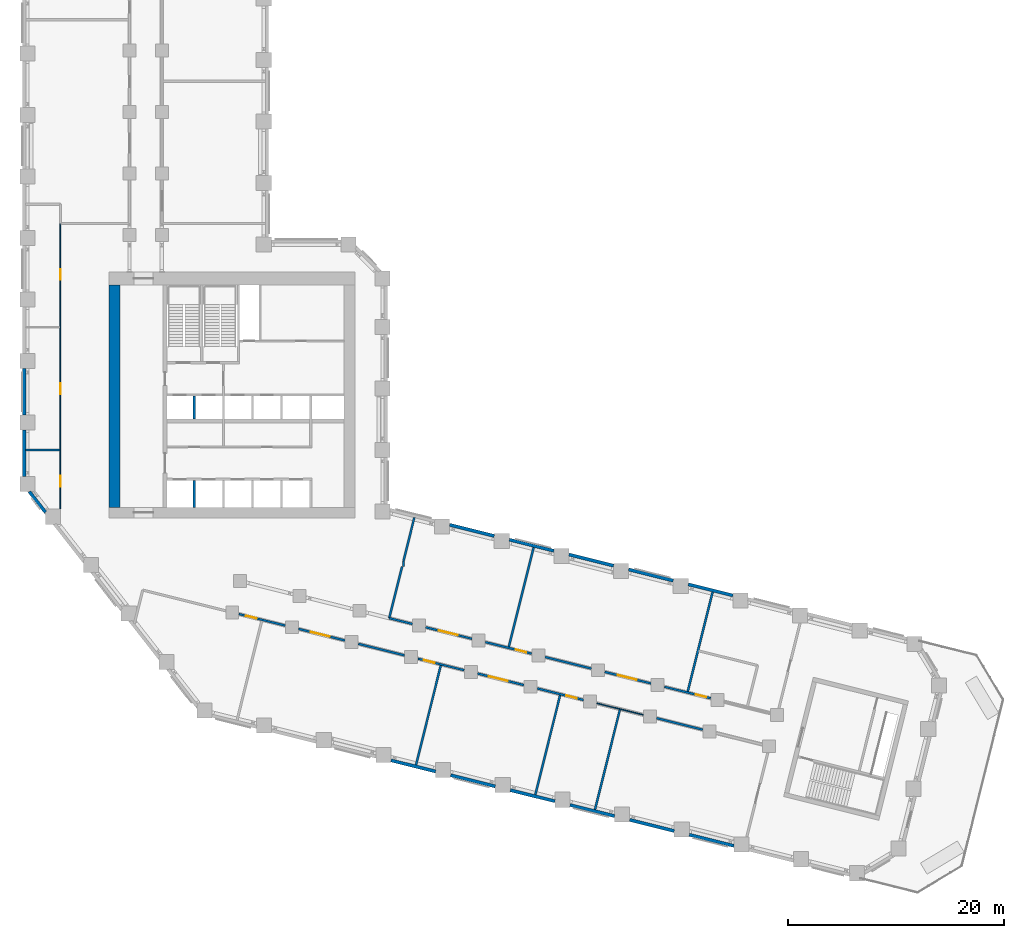
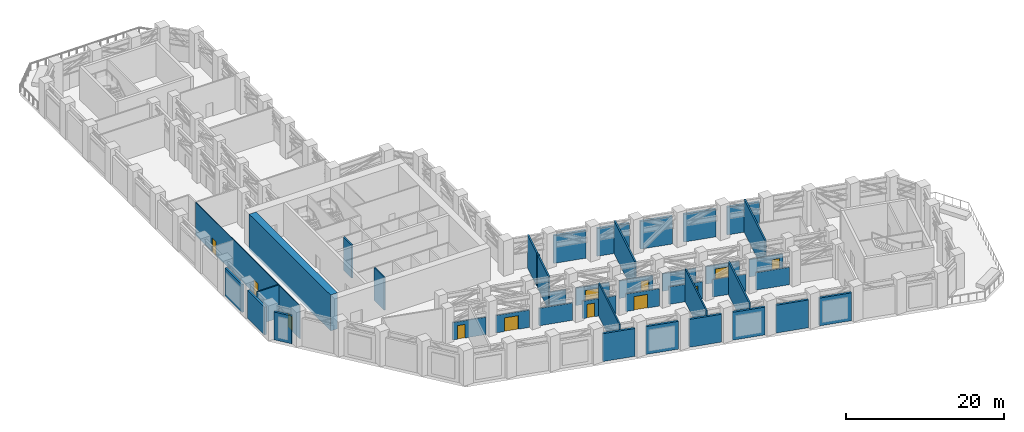
# One storey, part 7 of 14: 41 walls, 12 doors, 12 openings.
"""IFC4 building model written with IfcOpenShell, lengths in metres."""

from ifc_helpers import new_model, si_unit, direction, frame, frame_2d, origin, place, context, subcontext, project, spatial, rectangle, extrude, material, layer, layer_set, type_object, element, fill, save


model = new_model("IFC4")

# Units and contexts
model_context = context("Model", 3, precision=1e-05, world=origin(), true_north=direction((0.0, 1.0)))
body_context = subcontext(model_context, "Body", "Model", "MODEL_VIEW")
ifc_project = project(units=[si_unit("LENGTHUNIT", "METRE"), si_unit("AREAUNIT", "SQUARE_METRE"), si_unit("VOLUMEUNIT", "CUBIC_METRE"), si_unit("PLANEANGLEUNIT", "RADIAN"), si_unit("MASSUNIT", "GRAM", prefix="KILO")], contexts=[model_context])

# Site, building, storey
site_placement = place(None, origin())
site = spatial("IfcSite", under=ifc_project, at=site_placement, CompositionType="ELEMENT")
building_placement = place(site_placement, origin())
building = spatial("IfcBuilding", under=site, at=building_placement, Name="Meshkara Civic Tower", CompositionType="ELEMENT")
storey_placement = place(building_placement, frame((0.0, 0.0, 91.800048828125)))
storey = spatial("IfcBuildingStorey", under=building, at=storey_placement, Name="L20", CompositionType="ELEMENT", Elevation=91.800048828125)

# Wall
ifc_material_1 = material(Name="Concrete C80", Category="concrete")
ifc_layer_1 = layer(ifc_material_1, 1.0)
ifc_layer_set_1 = layer_set([ifc_layer_1], Name="Core ring wall 1000 C80")
wall_type_1 = type_object("IfcWallType", Name="Core ring wall 1000 C80", PredefinedType="SHEAR", material=ifc_layer_set_1)
wall_1_placement = place(storey_placement, frame((8.5, 15.10009765625, -0.449951171875), z_axis=(0.0, 0.0, 1.0), x_axis=(0.0, 1.0, 0.0)))
element("IfcWall", 1, at=wall_1_placement, inside=storey, type_object=wall_type_1, Name="L20-C003", PredefinedType="SHEAR", context=body_context, shape_type="SweptSolid", body=[
    extrude(rectangle(XDim=20.599853515625, YDim=1.0, at=frame_2d((10.2998046875, 0.0))), origin(), (0.0, 0.0, 1.0), 5.5498046875),
])

# Wall, openings, doors
ifc_material_2 = material(Name="Corridor wall 100")
ifc_layer_2 = layer(ifc_material_2, 0.10009765625)
ifc_layer_set_2 = layer_set([ifc_layer_2], Name="Corridor wall 100")
wall_type_2 = type_object("IfcWallType", Name="Corridor wall 100", PredefinedType="PARTITIONING", material=ifc_layer_set_2)
wall_2_placement = place(storey_placement, frame((3.5, 14.948974609375, 0.0), z_axis=(0.0, 0.0, 1.0), x_axis=(0.0, 1.0, 0.0)))
wall_2 = element("IfcWall", 2, at=wall_2_placement, inside=storey, type_object=wall_type_2, Name="L20-R002", PredefinedType="PARTITIONING", context=body_context, shape_type="SweptSolid", body=[
    extrude(rectangle(XDim=26.450927734375, YDim=0.10009765625, at=frame_2d((13.2255859375, 0.0))), origin(), (0.0, 0.0, 1.0), 5.099853515625),
])
opening_1_placement = place(wall_2_placement, frame((2.080078125, 0.0, 0.0)))
opening_1 = element("IfcOpeningElement", 3, at=opening_1_placement, cuts=wall_2, Name="Opening L20-P012", PredefinedType="OPENING", context=body_context, shape_type="SweptSolid", body=[
    extrude(rectangle(XDim=1.0, YDim=2.10009765625, at=frame_2d((0.5, 1.050048828125))), frame((0.0, 0.06005859375, 0.0), z_axis=(0.0, -1.0, 0.0), x_axis=(1.0, 0.0, 0.0)), (0.0, 0.0, 1.0), 0.1201171875),
])
opening_2_placement = place(wall_2_placement, frame((10.631103515625, 0.0, 0.0)))
opening_2 = element("IfcOpeningElement", 4, at=opening_2_placement, cuts=wall_2, Name="Opening L20-P013", PredefinedType="OPENING", context=body_context, shape_type="SweptSolid", body=[
    extrude(rectangle(XDim=1.0, YDim=2.10009765625, at=frame_2d((0.5, 1.050048828125))), frame((0.0, 0.06005859375, 0.0), z_axis=(0.0, -1.0, 0.0), x_axis=(1.0, 0.0, 0.0)), (0.0, 0.0, 1.0), 0.1201171875),
])
opening_3_placement = place(wall_2_placement, frame((21.23095703125, 0.0, 0.0)))
opening_3 = element("IfcOpeningElement", 5, at=opening_3_placement, cuts=wall_2, Name="Opening L20-P014", PredefinedType="OPENING", context=body_context, shape_type="SweptSolid", body=[
    extrude(rectangle(XDim=1.0, YDim=2.10009765625, at=frame_2d((0.5, 1.050048828125))), frame((0.0, 0.06005859375, 0.0), z_axis=(0.0, -1.0, 0.0), x_axis=(1.0, 0.0, 0.0)), (0.0, 0.0, 1.0), 0.1201171875),
])
ifc_material_3 = material(Name="Door 1000 x 2100")
door_type_1 = type_object("IfcDoorType", Name="Door 1000 x 2100", OperationType="SINGLE_SWING_LEFT", PredefinedType="DOOR", material=ifc_material_3)
door_1_placement = place(opening_1_placement, origin())
door_1 = element("IfcDoor", 6, at=door_1_placement, inside=storey, type_object=door_type_1, Name="L20-P012", OperationType="SINGLE_SWING_LEFT", OverallHeight=2.10009765625, OverallWidth=1.0, PredefinedType="DOOR", context=body_context, shape_type="SweptSolid", body=[
    extrude(rectangle(XDim=1.0, YDim=2.10009765625, at=frame_2d((0.5, 1.050048828125))), frame((0.0, 0.02490234375, 0.0), z_axis=(0.0, -1.0, 0.0), x_axis=(1.0, 0.0, 0.0)), (0.0, 0.0, 1.0), 0.050048828125),
])
fill(opening_1, door_1)
door_2_placement = place(opening_2_placement, origin())
door_2 = element("IfcDoor", 7, at=door_2_placement, inside=storey, type_object=door_type_1, Name="L20-P013", OperationType="SINGLE_SWING_LEFT", OverallHeight=2.10009765625, OverallWidth=1.0, PredefinedType="DOOR", context=body_context, shape_type="SweptSolid", body=[
    extrude(rectangle(XDim=1.0, YDim=2.10009765625, at=frame_2d((0.5, 1.050048828125))), frame((0.0, 0.02490234375, 0.0), z_axis=(0.0, -1.0, 0.0), x_axis=(1.0, 0.0, 0.0)), (0.0, 0.0, 1.0), 0.050048828125),
])
fill(opening_2, door_2)
door_3_placement = place(opening_3_placement, origin())
door_3 = element("IfcDoor", 8, at=door_3_placement, inside=storey, type_object=door_type_1, Name="L20-P014", OperationType="SINGLE_SWING_LEFT", OverallHeight=2.10009765625, OverallWidth=1.0, PredefinedType="DOOR", context=body_context, shape_type="SweptSolid", body=[
    extrude(rectangle(XDim=1.0, YDim=2.10009765625, at=frame_2d((0.5, 1.050048828125))), frame((0.0, 0.02490234375, 0.0), z_axis=(0.0, -1.0, 0.0), x_axis=(1.0, 0.0, 0.0)), (0.0, 0.0, 1.0), 0.050048828125),
])
fill(opening_3, door_3)

# Walls
wall_3_placement = place(storey_placement, frame((53.22802734375, -3.068115234375, 0.0), z_axis=(0.0, 0.0, 1.0), x_axis=(0.970298175152, -0.241912073482, 0.0)))
element("IfcWall", 9, at=wall_3_placement, inside=storey, type_object=wall_type_2, Name="L20-R029", PredefinedType="PARTITIONING", context=body_context, shape_type="SweptSolid", body=[
    extrude(rectangle(XDim=4.42236328125, YDim=0.10009765625, at=frame_2d((2.211181640625, 0.0))), origin(), (0.0, 0.0, 1.0), 2.683837890625),
])
ifc_material_4 = material(Name="Insulated infill panel with bronze anodised aluminium cladding", Category="aluminium")
ifc_layer_3 = layer(ifc_material_4, 0.300048828125)
ifc_layer_set_3 = layer_set([ifc_layer_3], Name="EXTERNAL INFILL WALL 300")
wall_type_3 = type_object("IfcWallType", Name="EXTERNAL INFILL WALL 300", PredefinedType="SOLIDWALL", material=ifc_layer_set_3)
wall_4_placement = place(storey_placement, frame((65.833984375, 6.928955078125, 0.0), z_axis=(0.0, 0.0, 1.0), x_axis=(-0.970294099383, 0.241928420619, 0.0)))
element("IfcWall", 10, at=wall_4_placement, inside=storey, type_object=wall_type_3, Name="External wall", PredefinedType="SOLIDWALL", context=body_context, shape_type="SweptSolid", body=[
    extrude(rectangle(XDim=4.257568359375, YDim=0.300048828125, at=frame_2d((2.12890625, 0.0))), origin(), (0.0, 0.0, 1.0), 4.300048828125),
])
wall_5_placement = place(storey_placement, frame((60.302978515625, 8.30810546875, 0.0), z_axis=(0.0, 0.0, 1.0), x_axis=(-0.970290777893, 0.241941741615, 0.0)))
element("IfcWall", 11, at=wall_5_placement, inside=storey, type_object=wall_type_3, Name="External wall", PredefinedType="SOLIDWALL", context=body_context, shape_type="SweptSolid", body=[
    extrude(rectangle(XDim=4.25634765625, YDim=0.300048828125, at=frame_2d((2.128173828125, 0.0))), origin(), (0.0, 0.0, 1.0), 4.300048828125),
])
for number, where, z_axis, x_axis, name in (
    (12, (54.77294921875, 9.68701171875, 0.0), (0.0, 0.0, 1.0), (-0.970290742877, 0.241941882045, 0.0), "External wall"),
    (13, (49.241943359375, 11.06591796875, 0.0), (0.0, 0.0, 1.0), (-0.970290742877, 0.241941882045, 0.0), "External wall"),
):
    element("IfcWall", number, at=place(storey_placement, frame(where, z_axis=z_axis, x_axis=x_axis)), inside=storey, type_object=wall_type_3, Name=name, PredefinedType="SOLIDWALL", context=body_context, shape_type="SweptSolid", body=[
        extrude(rectangle(XDim=4.25732421875, YDim=0.300048828125, at=frame_2d((2.128662109375, 0.0))), origin(), (0.0, 0.0, 1.0), 4.300048828125),
    ])
wall_6_placement = place(storey_placement, frame((43.7109375, 12.445068359375, 0.0), z_axis=(0.0, 0.0, 1.0), x_axis=(-0.970277311249, 0.241995742265, 0.0)))
element("IfcWall", 14, at=wall_6_placement, inside=storey, type_object=wall_type_3, Name="External wall", PredefinedType="SOLIDWALL", context=body_context, shape_type="SweptSolid", body=[
    extrude(rectangle(XDim=4.25634765625, YDim=0.300048828125, at=frame_2d((2.128173828125, 0.0))), origin(), (0.0, 0.0, 1.0), 4.300048828125),
])
wall_7_placement = place(storey_placement, frame((0.14990234375, 27.9541015625, 0.0), z_axis=(0.0, 0.0, 1.0), x_axis=(0.0, -1.0, 0.0)))
element("IfcWall", 15, at=wall_7_placement, inside=storey, type_object=wall_type_3, Name="External wall", PredefinedType="SOLIDWALL", context=body_context, shape_type="SweptSolid", body=[
    extrude(rectangle(XDim=4.298095703125, YDim=0.300048828125, at=frame_2d((2.14892578125, 0.0))), origin(), (0.0, 0.0, 1.0), 4.300048828125),
])
wall_8_placement = place(storey_placement, frame((0.14990234375, 22.25390625, 0.0), z_axis=(0.0, 0.0, 1.0), x_axis=(0.0, -1.0, 0.0)))
element("IfcWall", 16, at=wall_8_placement, inside=storey, type_object=wall_type_3, Name="External wall", PredefinedType="SOLIDWALL", context=body_context, shape_type="SweptSolid", body=[
    extrude(rectangle(XDim=4.2978515625, YDim=0.300048828125, at=frame_2d((2.14892578125, 0.0))), origin(), (0.0, 0.0, 1.0), 4.300048828125),
])
wall_9_placement = place(storey_placement, frame((0.615966796875, 16.554931640625, 0.0), z_axis=(0.0, 0.0, 1.0), x_axis=(0.615745299337, -0.787945255931, 0.0)))
element("IfcWall", 17, at=wall_9_placement, inside=storey, type_object=wall_type_3, Name="External wall", PredefinedType="SOLIDWALL", context=body_context, shape_type="SweptSolid", body=[
    extrude(rectangle(XDim=2.432861328125, YDim=0.300048828125, at=frame_2d((1.21630859375, 0.0))), origin(), (0.0, 0.0, 1.0), 4.300048828125),
])
for number, where, z_axis, x_axis, name in (
    (18, (34.14306640625, -8.35791015625, 0.0), (0.0, 0.0, 1.0), (0.970290742877, -0.241941882045, 0.0), "External wall"),
    (19, (39.674072265625, -9.737060546875, 0.0), (0.0, 0.0, 1.0), (0.970290742877, -0.241941882045, 0.0), "External wall"),
):
    element("IfcWall", number, at=place(storey_placement, frame(where, z_axis=z_axis, x_axis=x_axis)), inside=storey, type_object=wall_type_3, Name=name, PredefinedType="SOLIDWALL", context=body_context, shape_type="SweptSolid", body=[
        extrude(rectangle(XDim=4.25732421875, YDim=0.300048828125, at=frame_2d((2.128662109375, 0.0))), origin(), (0.0, 0.0, 1.0), 4.300048828125),
    ])
wall_10_placement = place(storey_placement, frame((45.205078125, -11.115966796875, 0.0), z_axis=(0.0, 0.0, 1.0), x_axis=(0.970277311249, -0.241995742265, 0.0)))
element("IfcWall", 20, at=wall_10_placement, inside=storey, type_object=wall_type_3, Name="External wall", PredefinedType="SOLIDWALL", context=body_context, shape_type="SweptSolid", body=[
    extrude(rectangle(XDim=4.25634765625, YDim=0.300048828125, at=frame_2d((2.128173828125, 0.0))), origin(), (0.0, 0.0, 1.0), 4.300048828125),
])
for number, where, z_axis, x_axis, name in (
    (21, (50.735107421875, -12.4951171875, 0.0), (0.0, 0.0, 1.0), (0.970304203713, -0.241887891919, 0.0), "External wall"),
    (22, (56.26611328125, -13.8740234375, 0.0), (0.0, 0.0, 1.0), (0.970290742877, -0.241941882045, 0.0), "External wall"),
):
    element("IfcWall", number, at=place(storey_placement, frame(where, z_axis=z_axis, x_axis=x_axis)), inside=storey, type_object=wall_type_3, Name=name, PredefinedType="SOLIDWALL", context=body_context, shape_type="SweptSolid", body=[
        extrude(rectangle(XDim=4.25732421875, YDim=0.300048828125, at=frame_2d((2.128662109375, 0.0))), origin(), (0.0, 0.0, 1.0), 4.300048828125),
    ])
wall_11_placement = place(storey_placement, frame((61.797119140625, -15.2529296875, 0.0), z_axis=(0.0, 0.0, 1.0), x_axis=(0.970331162032, -0.241779726174, 0.0)))
element("IfcWall", 23, at=wall_11_placement, inside=storey, type_object=wall_type_3, Name="External wall", PredefinedType="SOLIDWALL", context=body_context, shape_type="SweptSolid", body=[
    extrude(rectangle(XDim=4.256103515625, YDim=0.300048828125, at=frame_2d((2.1279296875, 0.0))), origin(), (0.0, 0.0, 1.0), 4.300048828125),
])

# Wall, opening, door
ifc_material_5 = material(Name="Fire-rated wall 200")
ifc_layer_4 = layer(ifc_material_5, 0.199951171875)
ifc_layer_set_4 = layer_set([ifc_layer_4], Name="Fire-rated wall 200")
wall_type_4 = type_object("IfcWallType", Name="Fire-rated wall 200", PredefinedType="PARTITIONING", material=ifc_layer_set_4)
wall_12_placement = place(storey_placement, frame((20.0439453125, 5.2060546875, 0.0), z_axis=(0.0, 0.0, 1.0), x_axis=(0.970272283191, -0.242015901276, 0.0)))
wall_12 = element("IfcWall", 24, at=wall_12_placement, inside=storey, type_object=wall_type_4, Name="L20-R015", PredefinedType="PARTITIONING", context=body_context, shape_type="SweptSolid", body=[
    extrude(rectangle(XDim=4.42138671875, YDim=0.199951171875, at=frame_2d((2.210693359375, 0.0))), origin(), (0.0, 0.0, 1.0), 2.683837890625),
])
opening_4_placement = place(wall_12_placement, frame((0.679931640625, 0.0, 0.0)))
opening_4 = element("IfcOpeningElement", 25, at=opening_4_placement, cuts=wall_12, Name="Opening L20-P006", PredefinedType="OPENING", context=body_context, shape_type="SweptSolid", body=[
    extrude(rectangle(XDim=1.0, YDim=2.10009765625, at=frame_2d((0.5, 1.050048828125))), frame((0.0, 0.10986328125, 0.0), z_axis=(0.0, -1.0, 0.0), x_axis=(1.0, 0.0, 0.0)), (0.0, 0.0, 1.0), 0.219970703125),
])
door_4_placement = place(opening_4_placement, origin())
door_4 = element("IfcDoor", 26, at=door_4_placement, inside=storey, type_object=door_type_1, Name="L20-P006", OperationType="SINGLE_SWING_RIGHT", OverallHeight=2.10009765625, OverallWidth=1.0, PredefinedType="DOOR", context=body_context, shape_type="SweptSolid", body=[
    extrude(rectangle(XDim=1.0, YDim=2.10009765625, at=frame_2d((0.5, 1.050048828125))), frame((0.0, 0.02490234375, 0.0), z_axis=(0.0, -1.0, 0.0), x_axis=(1.0, 0.0, 0.0)), (0.0, 0.0, 1.0), 0.050048828125),
])
fill(opening_4, door_4)

wall_13_placement = place(storey_placement, frame((25.573974609375, 3.826904296875, 0.0), z_axis=(0.0, 0.0, 1.0), x_axis=(0.970298175152, -0.241912073482, 0.0)))
wall_13 = element("IfcWall", 27, at=wall_13_placement, inside=storey, type_object=wall_type_4, Name="L20-R017", PredefinedType="PARTITIONING", context=body_context, shape_type="SweptSolid", body=[
    extrude(rectangle(XDim=4.42236328125, YDim=0.199951171875, at=frame_2d((2.211181640625, 0.0))), origin(), (0.0, 0.0, 1.0), 2.683837890625),
])
opening_5_placement = place(wall_13_placement, frame((1.179931640625, 0.0, 0.0)))
opening_5 = element("IfcOpeningElement", 28, at=opening_5_placement, cuts=wall_13, Name="Opening L20-P007", PredefinedType="OPENING", context=body_context, shape_type="SweptSolid", body=[
    extrude(rectangle(XDim=1.800048828125, YDim=2.10009765625, at=frame_2d((0.89990234375, 1.050048828125))), frame((0.0, 0.10986328125, 0.0), z_axis=(0.0, -1.0, 0.0), x_axis=(1.0, 0.0, 0.0)), (0.0, 0.0, 1.0), 0.219970703125),
])
ifc_material_6 = material(Name="Door pair 1800 x 2100")
door_type_2 = type_object("IfcDoorType", Name="Door pair 1800 x 2100", OperationType="SINGLE_SWING_LEFT", PredefinedType="DOOR", material=ifc_material_6)
door_5_placement = place(opening_5_placement, origin())
door_5 = element("IfcDoor", 29, at=door_5_placement, inside=storey, type_object=door_type_2, Name="L20-P007", OperationType="DOUBLE_DOOR_SINGLE_SWING", OverallHeight=2.10009765625, OverallWidth=1.800048828125, PredefinedType="DOOR", context=body_context, shape_type="SweptSolid", body=[
    extrude(rectangle(XDim=1.800048828125, YDim=2.10009765625, at=frame_2d((0.89990234375, 1.050048828125))), frame((0.0, 0.02490234375, 0.0), z_axis=(0.0, -1.0, 0.0), x_axis=(1.0, 0.0, 0.0)), (0.0, 0.0, 1.0), 0.050048828125),
])
fill(opening_5, door_5)

# Walls
wall_14_placement = place(storey_placement, frame((31.10498046875, 2.447998046875, 0.0), z_axis=(0.0, 0.0, 1.0), x_axis=(0.970285215636, -0.241964047572, 0.0)))
element("IfcWall", 30, at=wall_14_placement, inside=storey, type_object=wall_type_4, Name="L20-R018", PredefinedType="PARTITIONING", context=body_context, shape_type="SweptSolid", body=[
    extrude(rectangle(XDim=4.42236328125, YDim=0.199951171875, at=frame_2d((2.211181640625, 0.0))), origin(), (0.0, 0.0, 1.0), 2.683837890625),
])
wall_15_placement = place(storey_placement, frame((33.97607421875, 4.823974609375, 0.0), z_axis=(0.0, 0.0, 1.0), x_axis=(0.241940400058, 0.970291112409, 0.0)))
element("IfcWall", 31, at=wall_15_placement, inside=storey, type_object=wall_type_4, Name="L20-R019", PredefinedType="PARTITIONING", context=body_context, shape_type="SweptSolid", body=[
    extrude(rectangle(XDim=4.92236328125, YDim=0.199951171875, at=frame_2d((2.461181640625, 0.0))), origin(), (0.0, 0.0, 1.0), 5.099853515625),
])
wall_16_placement = place(storey_placement, frame((35.300048828125, 9.60009765625, 0.0), z_axis=(0.0, 0.0, 1.0), x_axis=(0.0, 1.0, 0.0)))
element("IfcWall", 32, at=wall_16_placement, inside=storey, type_object=wall_type_4, Name="L20-R020", PredefinedType="PARTITIONING", context=body_context, shape_type="SweptSolid", body=[
    extrude(rectangle(XDim=0.533935546875, YDim=0.199951171875, at=frame_2d((0.26708984375, 0.0))), origin(), (0.0, 0.0, 1.0), 5.099853515625),
])
wall_17_placement = place(storey_placement, frame((35.300048828125, 10.134033203125, 0.0), z_axis=(0.0, 0.0, 1.0), x_axis=(0.242037004533, 0.970267019143, 0.0)))
element("IfcWall", 33, at=wall_17_placement, inside=storey, type_object=wall_type_4, Name="L20-R021", PredefinedType="PARTITIONING", context=body_context, shape_type="SweptSolid", body=[
    extrude(rectangle(XDim=4.147705078125, YDim=0.199951171875, at=frame_2d((2.07373046875, 0.0))), origin(), (0.0, 0.0, 1.0), 5.099853515625),
])
wall_18_placement = place(storey_placement, frame((36.1220703125, 4.2890625, 0.0), z_axis=(0.0, 0.0, 1.0), x_axis=(-0.970311093908, 0.241860251053, 0.0)))
element("IfcWall", 34, at=wall_18_placement, inside=storey, type_object=wall_type_4, Name="L20-R022", PredefinedType="PARTITIONING", context=body_context, shape_type="SweptSolid", body=[
    extrude(rectangle(XDim=2.211669921875, YDim=0.199951171875, at=frame_2d((1.10595703125, 0.0))), origin(), (0.0, 0.0, 1.0), 2.683837890625),
])

# Wall, opening, door
wall_19_placement = place(storey_placement, frame((36.635986328125, 1.069091796875, 0.0), z_axis=(0.0, 0.0, 1.0), x_axis=(0.970272283191, -0.242015901276, 0.0)))
wall_19 = element("IfcWall", 35, at=wall_19_placement, inside=storey, type_object=wall_type_4, Name="L20-R023", PredefinedType="PARTITIONING", context=body_context, shape_type="SweptSolid", body=[
    extrude(rectangle(XDim=4.42138671875, YDim=0.199951171875, at=frame_2d((2.210693359375, 0.0))), origin(), (0.0, 0.0, 1.0), 2.683837890625),
])
opening_6_placement = place(wall_19_placement, frame((0.580078125, 0.0, 0.0)))
opening_6 = element("IfcOpeningElement", 36, at=opening_6_placement, cuts=wall_19, Name="Opening L20-P008", PredefinedType="OPENING", context=body_context, shape_type="SweptSolid", body=[
    extrude(rectangle(XDim=1.0, YDim=2.10009765625, at=frame_2d((0.5, 1.050048828125))), frame((0.0, 0.10986328125, 0.0), z_axis=(0.0, -1.0, 0.0), x_axis=(1.0, 0.0, 0.0)), (0.0, 0.0, 1.0), 0.219970703125),
])
door_6_placement = place(opening_6_placement, origin())
door_6 = element("IfcDoor", 37, at=door_6_placement, inside=storey, type_object=door_type_1, Name="L20-P008", OperationType="SINGLE_SWING_RIGHT", OverallHeight=2.10009765625, OverallWidth=1.0, PredefinedType="DOOR", context=body_context, shape_type="SweptSolid", body=[
    extrude(rectangle(XDim=1.0, YDim=2.10009765625, at=frame_2d((0.5, 1.050048828125))), frame((0.0, 0.02490234375, 0.0), z_axis=(0.0, -1.0, 0.0), x_axis=(1.0, 0.0, 0.0)), (0.0, 0.0, 1.0), 0.050048828125),
])
fill(opening_6, door_6)

wall_20_placement = place(storey_placement, frame((41.652099609375, 2.909912109375, 0.0), z_axis=(0.0, 0.0, 1.0), x_axis=(-0.970272283191, 0.242015901276, 0.0)))
wall_20 = element("IfcWall", 38, at=wall_20_placement, inside=storey, type_object=wall_type_4, Name="L20-R024", PredefinedType="PARTITIONING", context=body_context, shape_type="SweptSolid", body=[
    extrude(rectangle(XDim=4.42138671875, YDim=0.199951171875, at=frame_2d((2.210693359375, 0.0))), origin(), (0.0, 0.0, 1.0), 2.683837890625),
])
opening_7_placement = place(wall_20_placement, frame((1.3798828125, 0.0, 0.0)))
opening_7 = element("IfcOpeningElement", 39, at=opening_7_placement, cuts=wall_20, Name="Opening L20-P009", PredefinedType="OPENING", context=body_context, shape_type="SweptSolid", body=[
    extrude(rectangle(XDim=1.800048828125, YDim=2.10009765625, at=frame_2d((0.89990234375, 1.050048828125))), frame((0.0, 0.10986328125, 0.0), z_axis=(0.0, -1.0, 0.0), x_axis=(1.0, 0.0, 0.0)), (0.0, 0.0, 1.0), 0.219970703125),
])
door_7_placement = place(opening_7_placement, origin())
door_7 = element("IfcDoor", 40, at=door_7_placement, inside=storey, type_object=door_type_2, Name="L20-P009", OperationType="DOUBLE_DOOR_SINGLE_SWING", OverallHeight=2.10009765625, OverallWidth=1.800048828125, PredefinedType="DOOR", context=body_context, shape_type="SweptSolid", body=[
    extrude(rectangle(XDim=1.800048828125, YDim=2.10009765625, at=frame_2d((0.89990234375, 1.050048828125))), frame((0.0, 0.02490234375, 0.0), z_axis=(0.0, -1.0, 0.0), x_axis=(1.0, 0.0, 0.0)), (0.0, 0.0, 1.0), 0.050048828125),
])
fill(opening_7, door_7)

wall_21_placement = place(storey_placement, frame((42.166015625, -0.31005859375, 0.0), z_axis=(0.0, 0.0, 1.0), x_axis=(0.970298175152, -0.241912073482, 0.0)))
wall_21 = element("IfcWall", 41, at=wall_21_placement, inside=storey, type_object=wall_type_4, Name="L20-R025", PredefinedType="PARTITIONING", context=body_context, shape_type="SweptSolid", body=[
    extrude(rectangle(XDim=4.42236328125, YDim=0.199951171875, at=frame_2d((2.211181640625, 0.0))), origin(), (0.0, 0.0, 1.0), 2.683837890625),
])
opening_8_placement = place(wall_21_placement, frame((1.080078125, 0.0, 0.0)))
opening_8 = element("IfcOpeningElement", 42, at=opening_8_placement, cuts=wall_21, Name="Opening L20-P002", PredefinedType="OPENING", context=body_context, shape_type="SweptSolid", body=[
    extrude(rectangle(XDim=1.800048828125, YDim=2.10009765625, at=frame_2d((0.89990234375, 1.050048828125))), frame((0.0, 0.10986328125, 0.0), z_axis=(0.0, -1.0, 0.0), x_axis=(1.0, 0.0, 0.0)), (0.0, 0.0, 1.0), 0.219970703125),
])
door_8_placement = place(opening_8_placement, origin())
door_8 = element("IfcDoor", 43, at=door_8_placement, inside=storey, type_object=door_type_2, Name="L20-P002", OperationType="DOUBLE_DOOR_SINGLE_SWING", OverallHeight=2.10009765625, OverallWidth=1.800048828125, PredefinedType="DOOR", context=body_context, shape_type="SweptSolid", body=[
    extrude(rectangle(XDim=1.800048828125, YDim=2.10009765625, at=frame_2d((0.89990234375, 1.050048828125))), frame((0.0, 0.02490234375, 0.0), z_axis=(0.0, -1.0, 0.0), x_axis=(1.0, 0.0, 0.0)), (0.0, 0.0, 1.0), 0.050048828125),
])
fill(opening_8, door_8)

wall_22_placement = place(storey_placement, frame((42.89208984375, 2.60107421875, 0.0), z_axis=(0.0, 0.0, 1.0), x_axis=(0.970285215636, -0.241964047572, 0.0)))
wall_22 = element("IfcWall", 44, at=wall_22_placement, inside=storey, type_object=wall_type_4, Name="L20-R026", PredefinedType="PARTITIONING", context=body_context, shape_type="SweptSolid", body=[
    extrude(rectangle(XDim=4.42236328125, YDim=0.199951171875, at=frame_2d((2.211181640625, 0.0))), origin(), (0.0, 0.0, 1.0), 2.683837890625),
])
opening_9_placement = place(wall_22_placement, frame((2.89111328125, 0.0, 0.0)))
opening_9 = element("IfcOpeningElement", 45, at=opening_9_placement, cuts=wall_22, Name="Opening L20-P010", PredefinedType="OPENING", context=body_context, shape_type="SweptSolid", body=[
    extrude(rectangle(XDim=1.0, YDim=2.10009765625, at=frame_2d((0.5, 1.050048828125))), frame((0.0, 0.10986328125, 0.0), z_axis=(0.0, -1.0, 0.0), x_axis=(1.0, 0.0, 0.0)), (0.0, 0.0, 1.0), 0.219970703125),
])
door_9_placement = place(opening_9_placement, origin())
door_9 = element("IfcDoor", 46, at=door_9_placement, inside=storey, type_object=door_type_1, Name="L20-P010", OperationType="SINGLE_SWING_LEFT", OverallHeight=2.10009765625, OverallWidth=1.0, PredefinedType="DOOR", context=body_context, shape_type="SweptSolid", body=[
    extrude(rectangle(XDim=1.0, YDim=2.10009765625, at=frame_2d((0.5, 1.050048828125))), frame((0.0, 0.02490234375, 0.0), z_axis=(0.0, -1.0, 0.0), x_axis=(1.0, 0.0, 0.0)), (0.0, 0.0, 1.0), 0.050048828125),
])
fill(opening_9, door_9)

wall_23_placement = place(storey_placement, frame((47.697021484375, -1.68896484375, 0.0), z_axis=(0.0, 0.0, 1.0), x_axis=(0.970285215636, -0.241964047572, 0.0)))
wall_23 = element("IfcWall", 47, at=wall_23_placement, inside=storey, type_object=wall_type_4, Name="L20-R027", PredefinedType="PARTITIONING", context=body_context, shape_type="SweptSolid", body=[
    extrude(rectangle(XDim=4.42236328125, YDim=0.199951171875, at=frame_2d((2.211181640625, 0.0))), origin(), (0.0, 0.0, 1.0), 2.683837890625),
])
opening_10_placement = place(wall_23_placement, frame((2.791015625, 0.0, 0.0)))
opening_10 = element("IfcOpeningElement", 48, at=opening_10_placement, cuts=wall_23, Name="Opening L20-P003", PredefinedType="OPENING", context=body_context, shape_type="SweptSolid", body=[
    extrude(rectangle(XDim=1.0, YDim=2.10009765625, at=frame_2d((0.5, 1.050048828125))), frame((0.0, 0.10986328125, 0.0), z_axis=(0.0, -1.0, 0.0), x_axis=(1.0, 0.0, 0.0)), (0.0, 0.0, 1.0), 0.219970703125),
])
door_10_placement = place(opening_10_placement, origin())
door_10 = element("IfcDoor", 49, at=door_10_placement, inside=storey, type_object=door_type_1, Name="L20-P003", OperationType="SINGLE_SWING_LEFT", OverallHeight=2.10009765625, OverallWidth=1.0, PredefinedType="DOOR", context=body_context, shape_type="SweptSolid", body=[
    extrude(rectangle(XDim=1.0, YDim=2.10009765625, at=frame_2d((0.5, 1.050048828125))), frame((0.0, 0.02490234375, 0.0), z_axis=(0.0, -1.0, 0.0), x_axis=(1.0, 0.0, 0.0)), (0.0, 0.0, 1.0), 0.050048828125),
])
fill(opening_10, door_10)

# Wall
wall_24_placement = place(storey_placement, frame((52.714111328125, 0.152099609375, 0.0), z_axis=(0.0, 0.0, 1.0), x_axis=(-0.970298175152, 0.241912073482, 0.0)))
element("IfcWall", 50, at=wall_24_placement, inside=storey, type_object=wall_type_4, Name="L20-R028", PredefinedType="PARTITIONING", context=body_context, shape_type="SweptSolid", body=[
    extrude(rectangle(XDim=4.42236328125, YDim=0.199951171875, at=frame_2d((2.211181640625, 0.0))), origin(), (0.0, 0.0, 1.0), 2.683837890625),
])

# Wall, opening, door
wall_25_placement = place(storey_placement, frame((58.243896484375, -1.22705078125, 0.0), z_axis=(0.0, 0.0, 1.0), x_axis=(-0.970269048781, 0.242028868067, 0.0)))
wall_25 = element("IfcWall", 51, at=wall_25_placement, inside=storey, type_object=wall_type_4, Name="L20-R030", PredefinedType="PARTITIONING", context=body_context, shape_type="SweptSolid", body=[
    extrude(rectangle(XDim=4.421142578125, YDim=0.199951171875, at=frame_2d((2.21044921875, 0.0))), origin(), (0.0, 0.0, 1.0), 2.683837890625),
])
opening_11_placement = place(wall_25_placement, frame((1.3798828125, 0.0, 0.0)))
opening_11 = element("IfcOpeningElement", 52, at=opening_11_placement, cuts=wall_25, Name="Opening L20-P004", PredefinedType="OPENING", context=body_context, shape_type="SweptSolid", body=[
    extrude(rectangle(XDim=1.800048828125, YDim=2.10009765625, at=frame_2d((0.89990234375, 1.050048828125))), frame((0.0, 0.10986328125, 0.0), z_axis=(0.0, -1.0, 0.0), x_axis=(1.0, 0.0, 0.0)), (0.0, 0.0, 1.0), 0.219970703125),
])
door_11_placement = place(opening_11_placement, origin())
door_11 = element("IfcDoor", 53, at=door_11_placement, inside=storey, type_object=door_type_2, Name="L20-P004", OperationType="DOUBLE_DOOR_SINGLE_SWING", OverallHeight=2.10009765625, OverallWidth=1.800048828125, PredefinedType="DOOR", context=body_context, shape_type="SweptSolid", body=[
    extrude(rectangle(XDim=1.800048828125, YDim=2.10009765625, at=frame_2d((0.89990234375, 1.050048828125))), frame((0.0, 0.02490234375, 0.0), z_axis=(0.0, -1.0, 0.0), x_axis=(1.0, 0.0, 0.0)), (0.0, 0.0, 1.0), 0.050048828125),
])
fill(opening_11, door_11)

# Wall
wall_26_placement = place(storey_placement, frame((58.759033203125, -4.447021484375, 0.0), z_axis=(0.0, 0.0, 1.0), x_axis=(0.970272283191, -0.242015901276, 0.0)))
element("IfcWall", 54, at=wall_26_placement, inside=storey, type_object=wall_type_4, Name="L20-R031", PredefinedType="PARTITIONING", context=body_context, shape_type="SweptSolid", body=[
    extrude(rectangle(XDim=4.42138671875, YDim=0.199951171875, at=frame_2d((2.210693359375, 0.0))), origin(), (0.0, 0.0, 1.0), 2.683837890625),
])

# Wall, opening, door
wall_27_placement = place(storey_placement, frame((59.48388671875, -1.535888671875, 0.0), z_axis=(0.0, 0.0, 1.0), x_axis=(0.970285215636, -0.241964047572, 0.0)))
wall_27 = element("IfcWall", 55, at=wall_27_placement, inside=storey, type_object=wall_type_4, Name="L20-R032", PredefinedType="PARTITIONING", context=body_context, shape_type="SweptSolid", body=[
    extrude(rectangle(XDim=4.42236328125, YDim=0.199951171875, at=frame_2d((2.211181640625, 0.0))), origin(), (0.0, 0.0, 1.0), 2.683837890625),
])
opening_12_placement = place(wall_27_placement, frame((2.990966796875, 0.0, 0.0)))
opening_12 = element("IfcOpeningElement", 56, at=opening_12_placement, cuts=wall_27, Name="Opening L20-P005", PredefinedType="OPENING", context=body_context, shape_type="SweptSolid", body=[
    extrude(rectangle(XDim=1.0, YDim=2.10009765625, at=frame_2d((0.5, 1.050048828125))), frame((0.0, 0.10986328125, 0.0), z_axis=(0.0, -1.0, 0.0), x_axis=(1.0, 0.0, 0.0)), (0.0, 0.0, 1.0), 0.219970703125),
])
door_12_placement = place(opening_12_placement, origin())
door_12 = element("IfcDoor", 57, at=door_12_placement, inside=storey, type_object=door_type_1, Name="L20-P005", OperationType="SINGLE_SWING_RIGHT", OverallHeight=2.10009765625, OverallWidth=1.0, PredefinedType="DOOR", context=body_context, shape_type="SweptSolid", body=[
    extrude(rectangle(XDim=1.0, YDim=2.10009765625, at=frame_2d((0.5, 1.050048828125))), frame((0.0, 0.02490234375, 0.0), z_axis=(0.0, -1.0, 0.0), x_axis=(1.0, 0.0, 0.0)), (0.0, 0.0, 1.0), 0.050048828125),
])
fill(opening_12, door_12)

# Walls
wall_28_placement = place(storey_placement, frame((3.449951171875, 20.39990234375, 0.0), z_axis=(0.0, 0.0, 1.0), x_axis=(-1.0, 0.0, 0.0)))
element("IfcWall", 58, at=wall_28_placement, inside=storey, type_object=wall_type_4, Name="L20-R038", PredefinedType="PARTITIONING", context=body_context, shape_type="SweptSolid", body=[
    extrude(rectangle(XDim=3.169921875, YDim=0.199951171875, at=frame_2d((1.5849609375, 0.0))), origin(), (0.0, 0.0, 1.0), 5.099853515625),
])
for number, where, z_axis, x_axis, name in (
    (59, (36.4541015625, -8.80029296875, 0.0), (0.0, 0.0, 1.0), (0.241905276096, 0.970299869833, 0.0), "L20-R044"),
    (60, (45.050048828125, 2.114990234375, 0.0), (0.0, 0.0, 1.0), (0.241905276096, 0.970299869833, 0.0), "L20-R045"),
    (61, (47.51513671875, -11.558349609375, 0.0), (0.0, 0.0, 1.0), (0.241905276096, 0.970299869833, 0.0), "L20-R046"),
    (62, (53.046142578125, -12.9375, 0.0), (0.0, 0.0, 1.0), (0.241905276096, 0.970299869833, 0.0), "L20-R047"),
    (63, (61.64208984375, -2.02197265625, 0.0), (0.0, 0.0, 1.0), (0.24188125674, 0.970305857778, 0.0), "L20-R048"),
):
    element("IfcWall", number, at=place(storey_placement, frame(where, z_axis=z_axis, x_axis=x_axis)), inside=storey, type_object=wall_type_4, Name=name, PredefinedType="PARTITIONING", context=body_context, shape_type="SweptSolid", body=[
        extrude(rectangle(XDim=9.569580078125, YDim=0.199951171875, at=frame_2d((4.78466796875, 0.0))), origin(), (0.0, 0.0, 1.0), 5.099853515625),
    ])
ifc_material_7 = material(Name="Concrete C40/50", Category="concrete")
ifc_layer_5 = layer(ifc_material_7, 0.199951171875)
ifc_layer_set_5 = layer_set([ifc_layer_5], Name="Shaft wall 200 C40/50")
wall_type_5 = type_object("IfcWallType", Name="Shaft wall 200 C40/50", PredefinedType="SOLIDWALL", material=ifc_layer_set_5)
wall_29_placement = place(storey_placement, frame((15.89990234375, 15.10009765625, 0.0), z_axis=(0.0, 0.0, 1.0), x_axis=(0.0, 1.0, 0.0)))
element("IfcWall", 64, at=wall_29_placement, inside=storey, type_object=wall_type_5, Name="L20-C012", PredefinedType="SOLIDWALL", context=body_context, shape_type="SweptSolid", body=[
    extrude(rectangle(XDim=2.5, YDim=0.199951171875, at=frame_2d((1.25, 0.0))), origin(), (0.0, 0.0, 1.0), 5.099853515625),
])
wall_30_placement = place(storey_placement, frame((15.89990234375, 23.300048828125, 0.0), z_axis=(0.0, 0.0, 1.0), x_axis=(0.0, 1.0, 0.0)))
element("IfcWall", 65, at=wall_30_placement, inside=storey, type_object=wall_type_5, Name="L20-C013", PredefinedType="SOLIDWALL", context=body_context, shape_type="SweptSolid", body=[
    extrude(rectangle(XDim=2.099853515625, YDim=0.199951171875, at=frame_2d((1.0498046875, 0.0))), origin(), (0.0, 0.0, 1.0), 5.099853515625),
])

save(model, "model.ifc")
